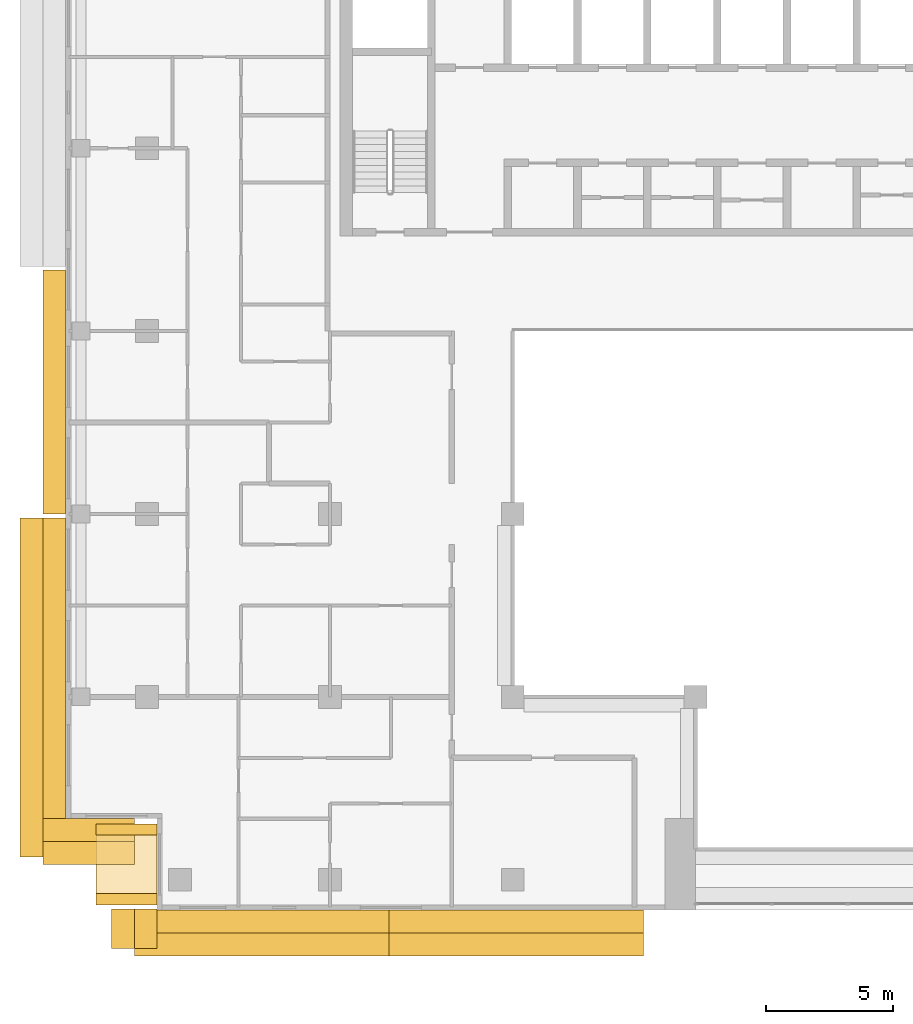
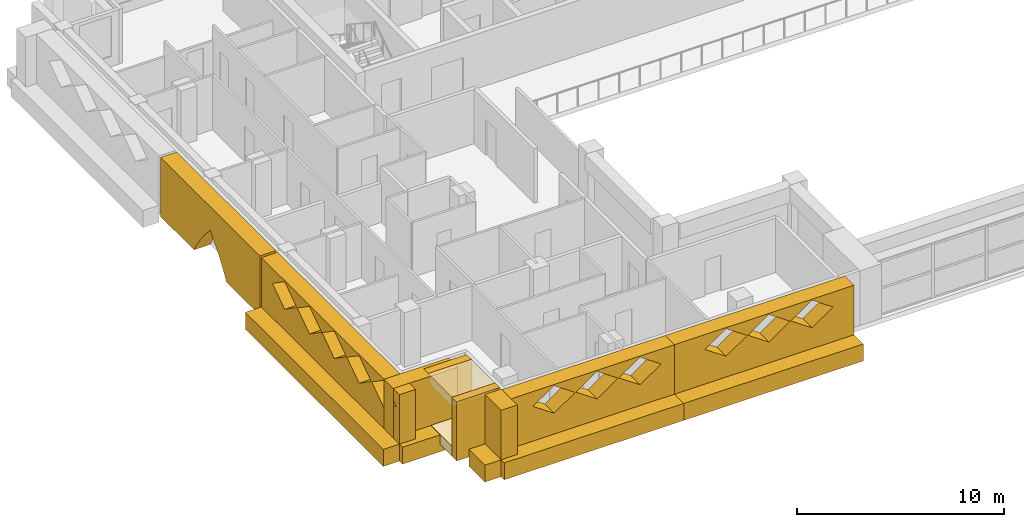
# One storey, part 13 of 19: 15 coverings.
"""IFC4 building model written with IfcOpenShell, lengths in metres."""

from ifc_helpers import new_model, si_unit, direction, frame, origin, place, context, subcontext, project, spatial, polyline, outline, extrude, material, layer, layer_set, type_object, element, save


model = new_model("IFC4")

# Units and contexts
model_context = context("Model", 3, precision=1e-05, world=origin(), true_north=direction((0.0, 1.0)))
body_context = subcontext(model_context, "Body", "Model", "MODEL_VIEW")
ifc_project = project(units=[si_unit("LENGTHUNIT", "METRE"), si_unit("AREAUNIT", "SQUARE_METRE"), si_unit("VOLUMEUNIT", "CUBIC_METRE"), si_unit("PLANEANGLEUNIT", "RADIAN"), si_unit("MASSUNIT", "GRAM", prefix="KILO")], contexts=[model_context])

# Site, building, storey
site_placement = place(None, origin())
site = spatial("IfcSite", under=ifc_project, at=site_placement, CompositionType="ELEMENT")
building_placement = place(site_placement, origin())
building = spatial("IfcBuilding", under=site, at=building_placement, Name="Saffron Iwan Residences", CompositionType="ELEMENT")
storey_placement = place(building_placement, frame((0.0, 0.0, 215.0)))
storey = spatial("IfcBuildingStorey", under=building, at=storey_placement, Name="L57", CompositionType="ELEMENT", Elevation=215.0)

# Coverings
ifc_material_1 = material(Name="Precast concrete C40/50 white painted", Category="concrete")
covering_type_1 = type_object("IfcCoveringType", Name="IWAN PANEL PRECAST WHITE", PredefinedType="CLADDING", material=ifc_material_1)
covering_1_placement = place(storey_placement, frame((18.39990234375, 64.800048828125, -0.280029296875), z_axis=(-1.0, 0.0, 0.0), x_axis=(0.0, -1.0, 0.0)))
element("IfcCovering", 1, at=covering_1_placement, inside=storey, type_object=covering_type_1, Name="Iwan panel L57 F8.0", PredefinedType="CLADDING", context=body_context, shape_type="SweptSolid", body=[
    extrude(outline(polyline([(0.0, 0.0), (0.0, 3.5), (9.60009765625, 3.5), (9.60009765625, 0.0), (6.366943359375, 0.0), (6.1416015625, 0.40185546875), (5.7392578125, 1.00244140625), (5.291259765625, 1.569580078125), (4.800048828125, 2.10009765625), (4.30859375, 1.569580078125), (3.860595703125, 1.00244140625), (3.45849609375, 0.40185546875), (3.233154296875, 0.0), (0.0, 0.0)])), origin(), (0.0, 0.0, 1.0), 0.89990234375),
])
ifc_material_2 = material(Name="Precast concrete C40/50", Category="concrete")
covering_type_2 = type_object("IfcCoveringType", Name="OUTER SKIN LATTICE SCREEN", PredefinedType="CLADDING", material=ifc_material_2)
covering_2_placement = place(storey_placement, frame((18.39990234375, 55.050048828125, -0.280029296875), z_axis=(-1.0, 0.0, 0.0), x_axis=(0.0, -1.0, 0.0)))
element("IfcCovering", 2, at=covering_2_placement, inside=storey, type_object=covering_type_2, Name="OUTER SKIN lattice screen L57 F8.1", PredefinedType="CLADDING", context=body_context, shape_type="SweptSolid", body=[
    extrude(outline(polyline([(0.0, 0.0), (13.35009765625, 0.0), (13.35009765625, 3.5), (0.0, 3.5), (0.0, 0.0)]), holes=[polyline([(1.070068359375, 2.625), (2.25, 1.81005859375), (3.429931640625, 2.625), (2.25, 3.43994140625), (1.070068359375, 2.625)]), polyline([(3.469970703125, 2.625), (4.64990234375, 1.81005859375), (5.830078125, 2.625), (4.64990234375, 3.43994140625), (3.469970703125, 2.625)]), polyline([(5.8701171875, 2.625), (7.050048828125, 1.81005859375), (8.22998046875, 2.625), (7.050048828125, 3.43994140625), (5.8701171875, 2.625)]), polyline([(8.27001953125, 2.625), (9.449951171875, 1.81005859375), (10.6298828125, 2.625), (9.449951171875, 3.43994140625), (8.27001953125, 2.625)]), polyline([(10.669921875, 2.625), (11.85009765625, 1.81005859375), (13.030029296875, 2.625), (11.85009765625, 3.43994140625), (10.669921875, 2.625)])]), origin(), (0.0, 0.0, 1.0), 0.89990234375),
])
covering_3_placement = place(storey_placement, frame((17.5, 43.199951171875, -0.280029296875), z_axis=(0.0, -1.0, 0.0), x_axis=(1.0, 0.0, 0.0)))
element("IfcCovering", 3, at=covering_3_placement, inside=storey, type_object=covering_type_2, Name="OUTER SKIN lattice screen L57 F9.0", PredefinedType="CLADDING", context=body_context, shape_type="SweptSolid", body=[
    extrude(outline(polyline([(0.0, 0.0), (3.60009765625, 0.0), (3.60009765625, 3.5), (0.0, 3.5), (0.0, 0.0)])), origin(), (0.0, 0.0, 1.0), 0.89990234375),
])
covering_4_placement = place(storey_placement, frame((22.0, 39.64990234375, -0.280029296875), z_axis=(-1.0, 0.0, 0.0), x_axis=(0.0, -1.0, 0.0)))
element("IfcCovering", 4, at=covering_4_placement, inside=storey, type_object=covering_type_2, Name="OUTER SKIN lattice screen L57 F10.0", PredefinedType="CLADDING", context=body_context, shape_type="SweptSolid", body=[
    extrude(outline(polyline([(0.0, 0.0), (1.550048828125, 0.0), (1.550048828125, 3.5), (0.0, 3.5), (0.0, 0.0)])), origin(), (0.0, 0.0, 1.0), 0.89990234375),
])
covering_5_placement = place(storey_placement, frame((21.10009765625, 39.60009765625, -0.280029296875), z_axis=(0.0, -1.0, 0.0), x_axis=(1.0, 0.0, 0.0)))
element("IfcCovering", 5, at=covering_5_placement, inside=storey, type_object=covering_type_2, Name="OUTER SKIN lattice screen L57 F11.0", PredefinedType="CLADDING", context=body_context, shape_type="SweptSolid", body=[
    extrude(outline(polyline([(0.0, 0.0), (10.02490234375, 0.0), (10.02490234375, 3.5), (0.0, 3.5), (0.0, 0.0)]), holes=[polyline([(2.1201171875, 2.625), (3.300048828125, 1.81005859375), (4.47998046875, 2.625), (3.300048828125, 3.43994140625), (2.1201171875, 2.625)]), polyline([(4.52001953125, 2.625), (5.699951171875, 1.81005859375), (6.8798828125, 2.625), (5.699951171875, 3.43994140625), (4.52001953125, 2.625)]), polyline([(6.919921875, 2.625), (8.10009765625, 1.81005859375), (9.280029296875, 2.625), (8.10009765625, 3.43994140625), (6.919921875, 2.625)])]), origin(), (0.0, 0.0, 1.0), 0.900146484375),
])
covering_6_placement = place(storey_placement, frame((31.125, 39.60009765625, -0.280029296875), z_axis=(0.0, -1.0, 0.0), x_axis=(1.0, 0.0, 0.0)))
element("IfcCovering", 6, at=covering_6_placement, inside=storey, type_object=covering_type_2, Name="OUTER SKIN lattice screen L57 F11.1", PredefinedType="CLADDING", context=body_context, shape_type="SweptSolid", body=[
    extrude(outline(polyline([(0.0, 0.0), (10.02490234375, 0.0), (10.02490234375, 3.5), (0.0, 3.5), (0.0, 0.0)]), holes=[polyline([(1.695068359375, 2.625), (2.875, 1.81005859375), (4.054931640625, 2.625), (2.875, 3.43994140625), (1.695068359375, 2.625)]), polyline([(4.094970703125, 2.625), (5.27490234375, 1.81005859375), (6.455078125, 2.625), (5.27490234375, 3.43994140625), (4.094970703125, 2.625)]), polyline([(6.4951171875, 2.625), (7.675048828125, 1.81005859375), (8.85498046875, 2.625), (7.675048828125, 3.43994140625), (6.4951171875, 2.625)])]), origin(), (0.0, 0.0, 1.0), 0.900146484375),
])
ifc_layer = layer(ifc_material_1, 0.89990234375)
ifc_layer_set = layer_set([ifc_layer], Name="Precast concrete C40/50 white painted")
covering_type_3 = type_object("IfcCoveringType", Name="WHITE EDGE BAND 900 x 1000", PredefinedType="CLADDING", material=ifc_layer_set)
covering_7_placement = place(storey_placement, frame((0.0, 0.0, -0.699951171875)))
element("IfcCovering", 7, at=covering_7_placement, inside=storey, type_object=covering_type_3, Name="White edge band L57 F8.1", PredefinedType="CLADDING", context=body_context, shape_type="SweptSolid", body=[
    extrude(outline(polyline([(16.60009765625, 55.050048828125), (16.60009765625, 41.699951171875), (17.5, 41.699951171875), (17.5, 55.050048828125), (16.60009765625, 55.050048828125)])), origin(), (0.0, 0.0, 1.0), 1.0),
])
covering_8_placement = place(storey_placement, frame((0.0, 0.0, -0.699951171875)))
element("IfcCovering", 8, at=covering_8_placement, inside=storey, type_object=covering_type_3, Name="White edge band L57 F9.0", PredefinedType="CLADDING", context=body_context, shape_type="SweptSolid", body=[
    extrude(outline(polyline([(17.5, 41.39990234375), (21.10009765625, 41.39990234375), (21.10009765625, 42.300048828125), (17.5, 42.300048828125), (17.5, 41.39990234375)])), origin(), (0.0, 0.0, 1.0), 1.0),
])
covering_9_placement = place(storey_placement, frame((0.0, 0.0, -0.699951171875)))
element("IfcCovering", 9, at=covering_9_placement, inside=storey, type_object=covering_type_3, Name="White edge band L57 F10.0", PredefinedType="CLADDING", context=body_context, shape_type="SweptSolid", body=[
    extrude(outline(polyline([(20.199951171875, 39.64990234375), (20.199951171875, 38.10009765625), (21.10009765625, 38.10009765625), (21.10009765625, 39.64990234375), (20.199951171875, 39.64990234375)])), origin(), (0.0, 0.0, 1.0), 1.0),
])
covering_10_placement = place(storey_placement, frame((0.0, 0.0, -0.699951171875)))
element("IfcCovering", 10, at=covering_10_placement, inside=storey, type_object=covering_type_3, Name="White edge band L57 F11.0", PredefinedType="CLADDING", context=body_context, shape_type="SweptSolid", body=[
    extrude(outline(polyline([(21.10009765625, 37.800048828125), (31.125, 37.800048828125), (31.125, 38.699951171875), (21.10009765625, 38.699951171875), (21.10009765625, 37.800048828125)])), origin(), (0.0, 0.0, 1.0), 1.0),
])
covering_11_placement = place(storey_placement, frame((0.0, 0.0, -0.699951171875)))
element("IfcCovering", 11, at=covering_11_placement, inside=storey, type_object=covering_type_3, Name="White edge band L57 F11.1", PredefinedType="CLADDING", context=body_context, shape_type="SweptSolid", body=[
    extrude(outline(polyline([(31.125, 37.800048828125), (41.14990234375, 37.800048828125), (41.14990234375, 38.699951171875), (31.125, 38.699951171875), (31.125, 37.800048828125)])), origin(), (0.0, 0.0, 1.0), 1.0),
])
covering_type_4 = type_object("IfcCoveringType", Name="WHITE SUN FRAME PRECAST", PredefinedType="CLADDING", material=ifc_material_1)
for number, where, z_axis, x_axis, name in (
    (12, (22.0, 43.0, -0.280029296875), (-1.0, 0.0, 0.0), (0.0, -1.0, 0.0), "Sun frame L57 F10 0.2a"),
    (13, (22.0, 40.25, -0.280029296875), (-1.0, 0.0, 0.0), (0.0, -1.0, 0.0), "Sun frame L57 F10 0.2b"),
):
    element("IfcCovering", number, at=place(storey_placement, frame(where, z_axis=z_axis, x_axis=x_axis)), inside=storey, type_object=covering_type_4, Name=name, PredefinedType="CLADDING", context=body_context, shape_type="SweptSolid", body=[
        extrude(outline(polyline([(0.0, 0.0), (0.449951171875, 0.0), (0.449951171875, 3.5), (0.0, 3.5), (0.0, 0.0)])), origin(), (0.0, 0.0, 1.0), 2.39990234375),
    ])
for number, where, z_axis, x_axis, name in (
    (14, (22.0, 42.550048828125, 2.6201171875), (-1.0, 0.0, 0.0), (0.0, -1.0, 0.0), "Sun frame L57 F10 0.2h"),
    (15, (22.0, 42.550048828125, -0.280029296875), (-1.0, 0.0, 0.0), (0.0, -1.0, 0.0), "Sun frame L57 F10 0.2s"),
):
    element("IfcCovering", number, at=place(storey_placement, frame(where, z_axis=z_axis, x_axis=x_axis)), inside=storey, type_object=covering_type_4, Name=name, PredefinedType="CLADDING", context=body_context, shape_type="SweptSolid", body=[
        extrude(outline(polyline([(0.0, 0.0), (2.300048828125, 0.0), (2.300048828125, 0.60009765625), (0.0, 0.60009765625), (0.0, 0.0)])), origin(), (0.0, 0.0, 1.0), 2.39990234375),
    ])

save(model, "model.ifc")
